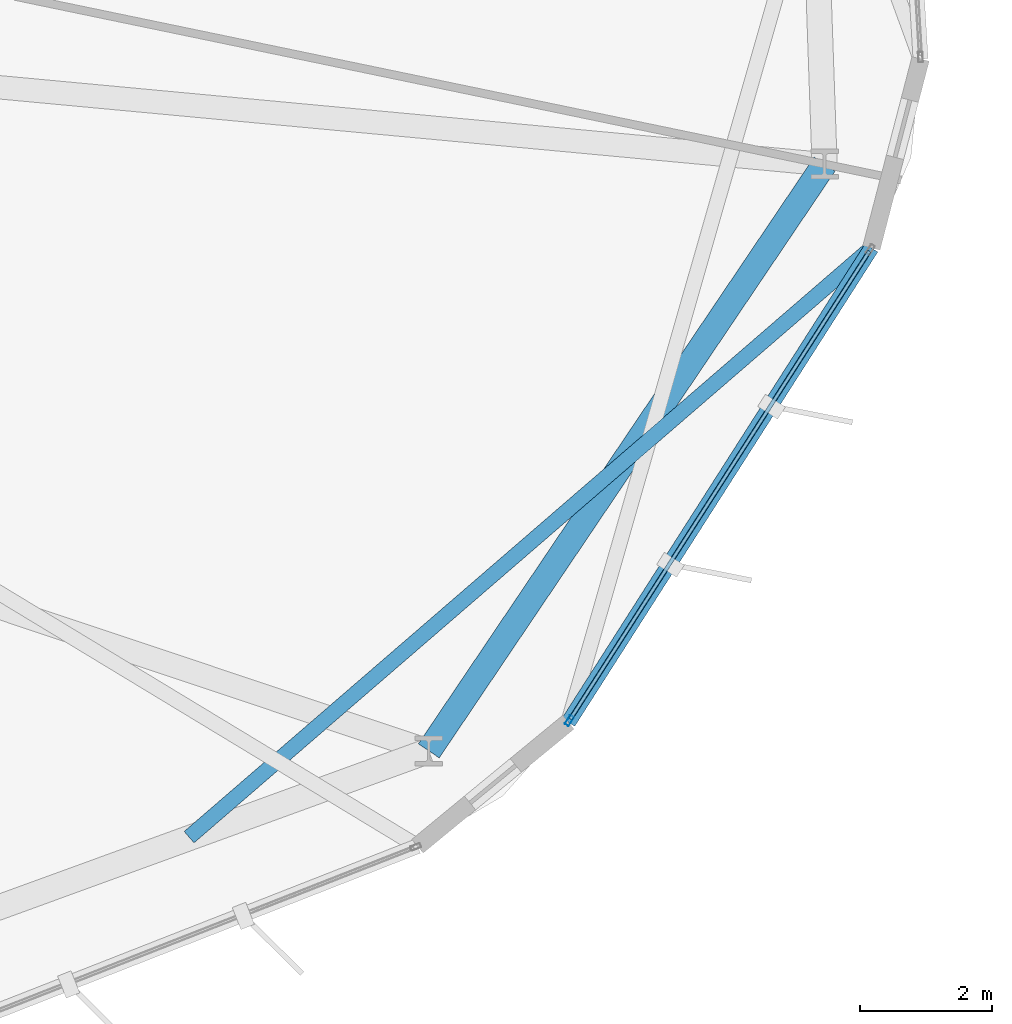
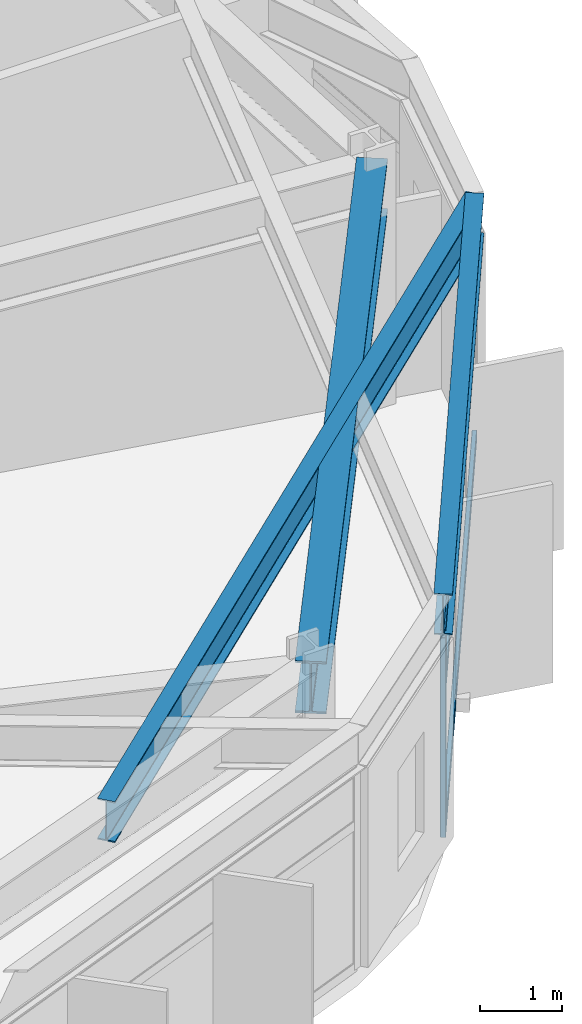
# One storey, part 9 of 22: 4 members, 3 beams, 1 element without a shape of its own.
"""IFC4 building model written with IfcOpenShell, lengths in metres."""

import ifcopenshell
import ifcopenshell.guid

model = None  # the IFC model being written
_history = None  # IfcOwnerHistory: only IFC2X3 demands one
_inside = {}  # id of a spatial element -> (the spatial element, [elements in it])
_under = {}  # id of a project, library or spatial element -> (it, [spatial elements below it])
_declared = {}  # id of a project -> (the project, [libraries it declares])
_typed = {}  # id of a type object -> (the type object, [elements of that type])
_made_of = {}  # id of a material, layer set ... -> (it, [elements and type objects made of it])


def new_model(schema):
    """Start an empty IFC model of exactly this schema.

    Asked for "IFC4X3", IfcOpenShell would pick the latest addendum, in which some entities
    have other attributes; the version numbers below select the first issue.
    IFC2X3 requires an IfcOwnerHistory on every rooted entity: one is made here for all.
    """
    global model, _history
    if schema == "IFC4X3":
        model = ifcopenshell.file(schema_version=(4, 3, 0, 0))
    else:
        model = ifcopenshell.file(schema=schema)
    _inside.clear()
    _under.clear()
    _declared.clear()
    _typed.clear()
    _made_of.clear()
    _history = None
    if model.schema == "IFC2X3":
        org = make("IfcOrganization", Name="unknown")
        user = make(
            "IfcPersonAndOrganization",
            ThePerson=make("IfcPerson", FamilyName="unknown"),
            TheOrganization=org,
        )
        app = make(
            "IfcApplication",
            ApplicationDeveloper=org,
            Version="unknown",
            ApplicationFullName="unknown",
            ApplicationIdentifier="unknown",
        )
        _history = make(
            "IfcOwnerHistory",
            OwningUser=user,
            OwningApplication=app,
            ChangeAction="ADDED",
            CreationDate=0,
        )
    return model


def make(cls, **values):
    """One entity of the class cls with the attributes given. An attribute that is None is left unset."""
    return model.create_entity(
        cls, **{name: value for name, value in values.items() if value is not None}
    )


def rooted(cls, **values):
    """An entity with a GlobalId (a new one), such as an element, a storey or a relation."""
    return make(cls, GlobalId=ifcopenshell.guid.new(), OwnerHistory=_history, **values)


def si_unit(unit_type, name, prefix=None):
    """IfcSIUnit, for example si_unit("LENGTHUNIT", "METRE", prefix="MILLI")."""
    return make("IfcSIUnit", UnitType=unit_type, Prefix=prefix, Name=name)


def assignment(units):
    """IfcUnitAssignment: the units of a project."""
    return None if units is None else make("IfcUnitAssignment", Units=units)


def point(xyz):
    """IfcCartesianPoint."""
    return None if xyz is None else make("IfcCartesianPoint", Coordinates=xyz)


def direction(xyz):
    """IfcDirection."""
    return None if xyz is None else make("IfcDirection", DirectionRatios=xyz)


def frame(location, z_axis=None, x_axis=None):
    """IfcAxis2Placement3D, a coordinate frame: its origin and axes. An axis left out is left unset."""
    return make(
        "IfcAxis2Placement3D",
        Location=point(location),
        Axis=direction(z_axis),
        RefDirection=direction(x_axis),
    )


def frame_2d(location, x_axis=None):
    """IfcAxis2Placement2D, a coordinate frame in the plane: its origin and x axis."""
    return make(
        "IfcAxis2Placement2D", Location=point(location), RefDirection=direction(x_axis)
    )


def origin():
    """The frame at (0, 0, 0) with its axes left unset."""
    return frame((0.0, 0.0, 0.0))


def origin_2d():
    """The frame at (0, 0) in the plane with its x axis left unset."""
    return frame_2d((0.0, 0.0))


def place(relative_to, where):
    """IfcLocalPlacement: puts the frame where relative to a parent placement (None: the world)."""
    return make(
        "IfcLocalPlacement", PlacementRelTo=relative_to, RelativePlacement=where
    )


def context(
    kind, dimensions, precision=None, world=None, true_north=None, identifier=None
):
    """IfcGeometricRepresentationContext, for example the 3D "Model" context."""
    return make(
        "IfcGeometricRepresentationContext",
        ContextIdentifier=identifier,
        ContextType=kind,
        CoordinateSpaceDimension=dimensions,
        Precision=precision,
        WorldCoordinateSystem=world,
        TrueNorth=true_north,
    )


def subcontext(parent, identifier, kind, view, scale=None):
    """IfcGeometricRepresentationSubContext, for example "Body" below "Model"."""
    return make(
        "IfcGeometricRepresentationSubContext",
        ContextIdentifier=identifier,
        ContextType=kind,
        ParentContext=parent,
        TargetScale=scale,
        TargetView=view,
    )


def project(units=None, contexts=None):
    """IfcProject with its units and contexts."""
    return rooted(
        "IfcProject",
        Name="project",
        RepresentationContexts=contexts,
        UnitsInContext=assignment(units),
    )


def spatial(cls, under=None, at=None, **own):
    """A site, building, storey or space (cls), placed at a placement, below another one or the project."""
    s = rooted(cls, ObjectPlacement=at, **own)
    if under is not None:
        _under.setdefault(under.id(), (under, []))[1].append(s)
    return s


def profile(cls, at=None, kind="AREA", **sizes):
    """A parametric profile (cls). Its sizes go by their IFC names, for example OverallWidth=200.0."""
    return make(cls, ProfileType=kind, Position=at, **sizes)


def hollow_rectangle(**sizes):
    """IfcRectangleHollowProfileDef."""
    return profile("IfcRectangleHollowProfileDef", **sizes)


def i_section(**sizes):
    """IfcIShapeProfileDef."""
    return profile("IfcIShapeProfileDef", **sizes)


def extrude(swept, where, along, depth):
    """IfcExtrudedAreaSolid: the profile swept, set in the frame where, extruded along a direction by depth."""
    return make(
        "IfcExtrudedAreaSolid",
        SweptArea=swept,
        Position=where,
        ExtrudedDirection=direction(along),
        Depth=depth,
    )


def shape(context_of_items, identifier, shape_type, items):
    """IfcShapeRepresentation: the items that make up one representation, for example the "Body"."""
    return make(
        "IfcShapeRepresentation",
        ContextOfItems=context_of_items,
        RepresentationIdentifier=identifier,
        RepresentationType=shape_type,
        Items=items,
    )


def material(Name=None, Category=None):
    """IfcMaterial."""
    return make("IfcMaterial", Name=Name, Category=Category)


def layer(
    of_material, thickness, ventilated=None, Name=None, Category=None, Priority=None
):
    """IfcMaterialLayer: one layer of a wall or slab, of a material (None: an air gap)."""
    return make(
        "IfcMaterialLayer",
        Material=of_material,
        LayerThickness=thickness,
        IsVentilated=ventilated,
        Name=Name,
        Category=Category,
        Priority=Priority,
    )


def layer_set(layers, Name=None):
    """IfcMaterialLayerSet."""
    return make("IfcMaterialLayerSet", MaterialLayers=layers, LayerSetName=Name)


def material_profile(
    of_material, cross_section, Name=None, Category=None, Priority=None
):
    """IfcMaterialProfile: a cross section and its material."""
    return make(
        "IfcMaterialProfile",
        Name=Name,
        Material=of_material,
        Profile=cross_section,
        Priority=Priority,
        Category=Category,
    )


def profile_set(profiles, Name=None, composite=None):
    """IfcMaterialProfileSet."""
    return make(
        "IfcMaterialProfileSet",
        Name=Name,
        MaterialProfiles=profiles,
        CompositeProfile=composite,
    )


def made_of(thing, what):
    """Note that an element or type object is made of a material, layer set ...; save() writes the relation."""
    if what is not None:
        _made_of.setdefault(what.id(), (what, []))[1].append(thing)
    return thing


def type_object(cls, material=None, **own):
    """A type object (cls), such as IfcWallType, which elements share."""
    return made_of(rooted(cls, **own), material)


def element(
    cls,
    number,
    at=None,
    inside=None,
    cuts=None,
    type_object=None,
    material=None,
    context=None,
    identifier="Body",
    shape_type=None,
    held_by="IfcProductDefinitionShape",
    body=None,
    shapes=None,
    **own,
):
    """One element of the class cls, such as IfcWall. Its Tag is "e" and its number.

    at: its placement. inside: the storey or other place that contains it. cuts: it is an
    opening in that element (IfcRelVoidsElement). A single representation is given by context,
    identifier, shape_type and body (its items); several are given by shapes. held_by: the class
    of the entity that holds the representations. save() writes the other relations.
    """
    e = rooted(cls, Tag="e%d" % number, ObjectPlacement=at, **own)
    if body is not None:
        shapes = [shape(context, identifier, shape_type, body)]
    if shapes is not None:
        e.Representation = make(held_by, Representations=shapes)
    if inside is not None:
        _inside.setdefault(inside.id(), (inside, []))[1].append(e)
    if cuts is not None:
        rooted(
            "IfcRelVoidsElement", RelatingBuildingElement=cuts, RelatedOpeningElement=e
        )
    if type_object is not None:
        _typed.setdefault(type_object.id(), (type_object, []))[1].append(e)
    return made_of(e, material)


def aggregate(whole, parts):
    """IfcRelAggregates: a whole, such as a stair, and the parts it consists of."""
    return rooted("IfcRelAggregates", RelatingObject=whole, RelatedObjects=parts)


def save(model, path):
    """Write the relations noted so far, then the file.

    IfcRelAggregates (storeys below a building ...), IfcRelContainedInSpatialStructure (elements
    in a storey), IfcRelDefinesByType, IfcRelAssociatesMaterial and IfcRelDeclares: one each for
    every whole, place, type object, material and project.
    """
    for whole, parts in _under.values():
        aggregate(whole, parts)
    for where, things in _inside.values():
        rooted(
            "IfcRelContainedInSpatialStructure",
            RelatedElements=things,
            RelatingStructure=where,
        )
    for kind, things in _typed.values():
        rooted("IfcRelDefinesByType", RelatedObjects=things, RelatingType=kind)
    for what, things in _made_of.values():
        rooted("IfcRelAssociatesMaterial", RelatedObjects=things, RelatingMaterial=what)
    for by, libraries in _declared.values():
        rooted("IfcRelDeclares", RelatingContext=by, RelatedDefinitions=libraries)
    model.write(path)


model = new_model("IFC4")

# Units and contexts
model_context = context("Model", 3, precision=1e-05, world=origin(), true_north=direction((0.0, 1.0)))
body_context = subcontext(model_context, "Body", "Model", "MODEL_VIEW")
ifc_project = project(units=[si_unit("LENGTHUNIT", "METRE"), si_unit("AREAUNIT", "SQUARE_METRE"), si_unit("VOLUMEUNIT", "CUBIC_METRE"), si_unit("PLANEANGLEUNIT", "RADIAN"), si_unit("MASSUNIT", "GRAM", prefix="KILO")], contexts=[model_context])

# Site, building, storey
site_placement = place(None, origin())
site = spatial("IfcSite", under=ifc_project, at=site_placement, CompositionType="ELEMENT")
building_placement = place(site_placement, origin())
building = spatial("IfcBuilding", under=site, at=building_placement, Name="Soratama Intermodal Tower", CompositionType="ELEMENT")
storey_placement = place(building_placement, frame((0.0, 0.0, 110.800048828125)))
storey = spatial("IfcBuildingStorey", under=building, at=storey_placement, Name="L26", CompositionType="ELEMENT", Elevation=110.800048828125)

# Beams
ifc_material_1 = material(Name="Structural steel ASTM A992 Grade 50", Category="steel")
ifc_material_profile_1 = material_profile(ifc_material_1, i_section(OverallWidth=0.382080078125, OverallDepth=0.779052734375, WebThickness=0.01806640625, FlangeThickness=0.030029296875, FilletRadius=0.01806640625, at=origin_2d()), Name="W30X191")
ifc_profile_set_1 = profile_set([ifc_material_profile_1], Name="Structural steel ASTM A992 Grade 50")
beam_type_1 = type_object("IfcBeamType", Name="BM-RING-W30X191", PredefinedType="BEAM", material=ifc_profile_set_1)
beam_1_placement = place(storey_placement, frame((55.7119140625, 11.2890625, 3.21044921875), z_axis=(0.559249807749, 0.828999187293, 0.0), x_axis=(-0.828999187293, 0.559249807749, 0.0)))
element("IfcBeam", 1, at=beam_1_placement, inside=storey, type_object=beam_type_1, Name="BM-L26-RING-09", PredefinedType="BEAM", context=body_context, shape_type="SweptSolid", body=[
    extrude(i_section(OverallWidth=0.382080078125, OverallDepth=0.779052734375, WebThickness=0.01806640625, FlangeThickness=0.030029296875, FilletRadius=0.01806640625, at=origin_2d()), origin(), (0.0, 0.0, 1.0), 10.75390625),
])
ifc_material_2 = material(Name="Structural steel ASTM A992 Grade 50", Category="steel")
ifc_material_profile_2 = material_profile(ifc_material_2, i_section(OverallWidth=0.22900390625, OverallDepth=0.612060546875, WebThickness=0.011962890625, FlangeThickness=0.01953125, FilletRadius=0.012939453125, at=origin_2d()), Name="W24X84")
ifc_profile_set_2 = profile_set([ifc_material_profile_2], Name="Structural steel ASTM A992 Grade 50")
beam_type_2 = type_object("IfcBeamType", Name="BM-SPN-W24X84", PredefinedType="SPANDREL", material=ifc_profile_set_2)
beam_2_placement = place(storey_placement, frame((57.8330078125, 11.72412109375, 3.2939453125), z_axis=(0.538442771246, 0.842662080607, 0.0), x_axis=(-0.842662080607, 0.538442771246, 0.0)))
element("IfcBeam", 2, at=beam_2_placement, inside=storey, type_object=beam_type_2, Name="BS-L26-F09", PredefinedType="SPANDREL", context=body_context, shape_type="SweptSolid", body=[
    extrude(i_section(OverallWidth=0.22900390625, OverallDepth=0.612060546875, WebThickness=0.011962890625, FlangeThickness=0.01953125, FilletRadius=0.012939453125, at=origin_2d()), origin(), (0.0, 0.0, 1.0), 8.552490234375),
])
ifc_material_3 = material(Name="Structural steel ASTM A992 Grade 50", Category="steel")
ifc_material_profile_3 = material_profile(ifc_material_3, i_section(OverallWidth=0.22900390625, OverallDepth=0.612060546875, WebThickness=0.011962890625, FlangeThickness=0.01953125, FilletRadius=0.012939453125, at=origin_2d()), Name="W24X84")
ifc_profile_set_3 = profile_set([ifc_material_profile_3], Name="Structural steel ASTM A992 Grade 50")
beam_type_3 = type_object("IfcBeamType", Name="BM-TIE-W24X84", PredefinedType="BEAM", material=ifc_profile_set_3)
beam_3_placement = place(storey_placement, frame((52.070068359375, 9.97802734375, 3.2939453125), z_axis=(0.756867488409, 0.653568362904, 0.0), x_axis=(-0.653568362904, 0.756867488409, 0.0)))
element("IfcBeam", 3, at=beam_3_placement, inside=storey, type_object=beam_type_3, Name="BM-L26-TIE1-09", PredefinedType="BEAM", context=body_context, shape_type="SweptSolid", body=[
    extrude(i_section(OverallWidth=0.22900390625, OverallDepth=0.612060546875, WebThickness=0.011962890625, FlangeThickness=0.01953125, FilletRadius=0.012939453125, at=origin_2d()), origin(), (0.0, 0.0, 1.0), 13.698486328125),
])

# Curtain wall, members
ifc_material_4 = material(Name="Double-glazed aluminium curtain wall", Category="aluminium")
ifc_layer = layer(ifc_material_4, 0.159912109375)
ifc_layer_set = layer_set([ifc_layer], Name="Double-glazed aluminium curtain wall")
curtain_wall_type = type_object("IfcCurtainWallType", Name="CW-SYS-3", PredefinedType="NOTDEFINED", material=ifc_layer_set)
curtain_wall_placement = place(storey_placement, origin())
curtain_wall = element("IfcCurtainWall", 4, at=curtain_wall_placement, inside=storey, type_object=curtain_wall_type, Name="L26 Faceted Curtain Wall F09", PredefinedType="NOTDEFINED")
ifc_material_5 = material(Name="Anodised aluminium AA 6063-T6", Category="aluminium")
ifc_material_profile_4 = material_profile(ifc_material_5, hollow_rectangle(XDim=0.070068359375, YDim=0.159912109375, WallThickness=0.0048828125, InnerFilletRadius=0.0048828125, OuterFilletRadius=0.010009765625, at=origin_2d()), Name="CWM160X70X5")
ifc_profile_set_4 = profile_set([ifc_material_profile_4], Name="Anodised aluminium AA 6063-T6")
member_type_1 = type_object("IfcMemberType", Name="MT-CWM-3", PredefinedType="MULLION", material=ifc_profile_set_4)
member_1_placement = place(storey_placement, frame((57.848876953125, 11.749267578125, 0.0), z_axis=(0.0, 0.0, 1.0), x_axis=(-0.842639380895, 0.538478294608, 0.0)))
member_1 = element("IfcMember", 5, at=member_1_placement, type_object=member_type_1, Name="CW-3 mullion 1", PredefinedType="MULLION", context=body_context, shape_type="SweptSolid", body=[
    extrude(hollow_rectangle(XDim=0.070068359375, YDim=0.159912109375, WallThickness=0.0048828125, InnerFilletRadius=0.0048828125, OuterFilletRadius=0.010009765625, at=origin_2d()), origin(), (0.0, 0.0, 1.0), 2.97900390625),
])
ifc_material_6 = material(Name="Anodised aluminium AA 6063-T6", Category="aluminium")
ifc_material_profile_5 = material_profile(ifc_material_6, hollow_rectangle(XDim=0.06494140625, YDim=0.14990234375, WallThickness=0.0048828125, InnerFilletRadius=0.0048828125, OuterFilletRadius=0.010009765625, at=origin_2d()), Name="CWT150X65X5")
ifc_profile_set_5 = profile_set([ifc_material_profile_5], Name="Anodised aluminium AA 6063-T6")
member_type_2 = type_object("IfcMemberType", Name="TT-CWT-1", PredefinedType="USERDEFINED", material=ifc_profile_set_5)
member_2_placement = place(storey_placement, frame((57.864990234375, 11.774658203125, 0.030029296875), z_axis=(0.538489208495, 0.842632406411, 0.0), x_axis=(-0.842632406411, 0.538489208495, 0.0)))
member_2 = element("IfcMember", 6, at=member_2_placement, type_object=member_type_2, Name="CW-3 transom 1.1", ObjectType="TRANSOM", PredefinedType="USERDEFINED", context=body_context, shape_type="SweptSolid", body=[
    extrude(hollow_rectangle(XDim=0.06494140625, YDim=0.14990234375, WallThickness=0.0048828125, InnerFilletRadius=0.0048828125, OuterFilletRadius=0.010009765625, at=origin_2d()), origin(), (0.0, 0.0, 1.0), 8.433349609375),
])
member_3_placement = place(storey_placement, frame((57.864990234375, 11.774658203125, 2.14990234375), z_axis=(0.538489208495, 0.842632406411, 0.0), x_axis=(-0.842632406411, 0.538489208495, 0.0)))
member_3 = element("IfcMember", 7, at=member_3_placement, type_object=member_type_2, Name="CW-3 transom 1.2", ObjectType="TRANSOM", PredefinedType="USERDEFINED", context=body_context, shape_type="SweptSolid", body=[
    extrude(hollow_rectangle(XDim=0.06494140625, YDim=0.14990234375, WallThickness=0.0048828125, InnerFilletRadius=0.0048828125, OuterFilletRadius=0.010009765625, at=origin_2d()), origin(), (0.0, 0.0, 1.0), 8.433349609375),
])
member_4_placement = place(storey_placement, frame((57.864990234375, 11.774658203125, 2.948974609375), z_axis=(0.538489208495, 0.842632406411, 0.0), x_axis=(-0.842632406411, 0.538489208495, 0.0)))
member_4 = element("IfcMember", 8, at=member_4_placement, type_object=member_type_2, Name="CW-3 transom 1.3", ObjectType="TRANSOM", PredefinedType="USERDEFINED", context=body_context, shape_type="SweptSolid", body=[
    extrude(hollow_rectangle(XDim=0.06494140625, YDim=0.14990234375, WallThickness=0.0048828125, InnerFilletRadius=0.0048828125, OuterFilletRadius=0.010009765625, at=origin_2d()), origin(), (0.0, 0.0, 1.0), 8.433349609375),
])
aggregate(curtain_wall, [member_1, member_2, member_3, member_4])

save(model, "model.ifc")
